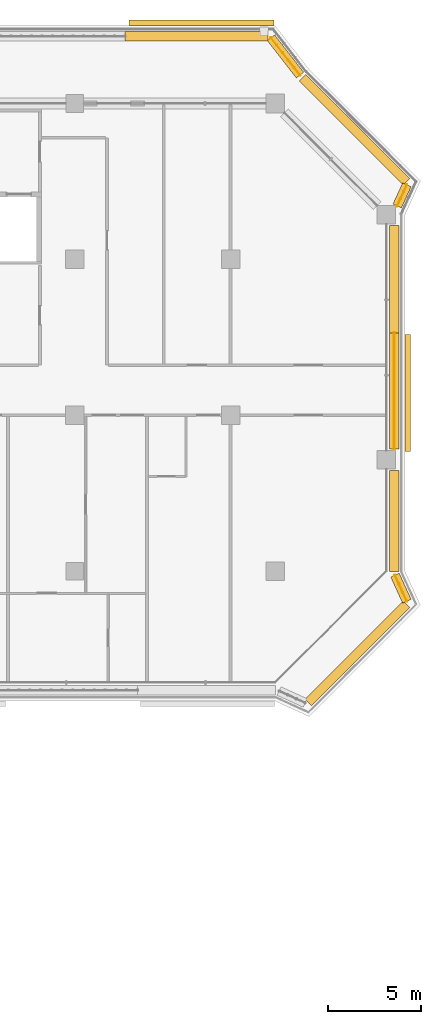
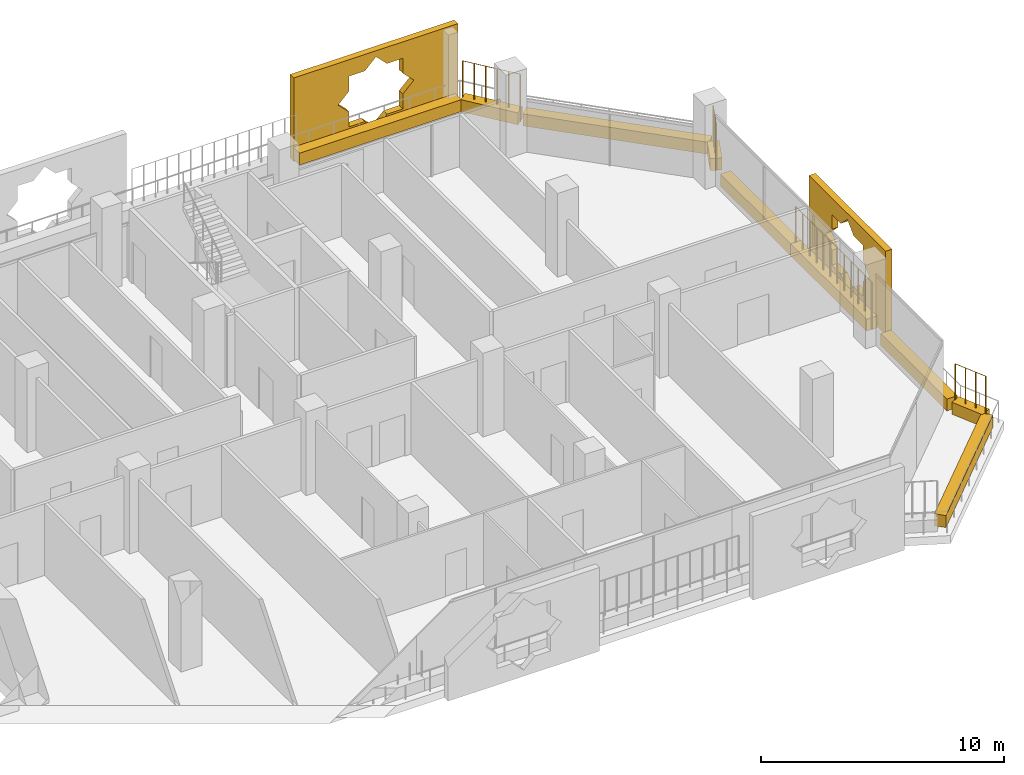
# One storey, part 22 of 22: 11 coverings, 4 railings.
"""IFC4 building model written with IfcOpenShell, lengths in metres."""

from ifc_helpers import new_model, si_unit, direction, frame, origin, origin_2d, place, context, subcontext, project, spatial, polyline, rectangle, circle, outline, extrude, material, material_profile, profile_set, type_object, element, save


model = new_model("IFC4")

# Units and contexts
model_context = context("Model", 3, precision=1e-05, world=origin(), true_north=direction((0.0, 1.0)))
body_context = subcontext(model_context, "Body", "Model", "MODEL_VIEW")
ifc_project = project(units=[si_unit("LENGTHUNIT", "METRE"), si_unit("AREAUNIT", "SQUARE_METRE"), si_unit("VOLUMEUNIT", "CUBIC_METRE"), si_unit("PLANEANGLEUNIT", "RADIAN"), si_unit("MASSUNIT", "GRAM", prefix="KILO")], contexts=[model_context])

# Site, building, storey
site_placement = place(None, origin())
site = spatial("IfcSite", under=ifc_project, at=site_placement, CompositionType="ELEMENT")
building_placement = place(site_placement, origin())
building = spatial("IfcBuilding", under=site, at=building_placement, Name="Kawkab Arch Medical Tower", CompositionType="ELEMENT")
storey_placement = place(building_placement, frame((0.0, 0.0, 183.60009765625)))
storey = spatial("IfcBuildingStorey", under=building, at=storey_placement, Name="L42", CompositionType="ELEMENT", Elevation=183.60009765625)

# Coverings
ifc_material_1 = material(Name="Bronze anodised aluminium mashrabiya panel, eight-point star pattern", Category="aluminium")
ifc_material_profile_1 = material_profile(ifc_material_1, outline(polyline([(-3.14990234375, -2.10009765625), (3.14990234375, -2.10009765625), (3.14990234375, 2.10009765625), (-3.14990234375, 2.10009765625), (-3.14990234375, -2.10009765625)]), holes=[polyline([(1.800048828125, 0.0), (1.272705078125, 0.527099609375), (1.272705078125, 1.272705078125), (0.527099609375, 1.272705078125), (0.0, 1.800048828125), (-0.527099609375, 1.272705078125), (-1.272705078125, 1.272705078125), (-1.272705078125, 0.527099609375), (-1.800048828125, 0.0), (-1.272705078125, -0.527099609375), (-1.272705078125, -1.272705078125), (-0.527099609375, -1.272705078125), (0.0, -1.800048828125), (0.527099609375, -1.272705078125), (1.272705078125, -1.272705078125), (1.272705078125, -0.527099609375), (1.800048828125, 0.0)])]), Name="Mashrabiya panel 6300x4200")
ifc_profile_set_1 = profile_set([ifc_material_profile_1], Name="Bronze anodised aluminium mashrabiya panel, eight-point star pattern")
covering_type_1 = type_object("IfcCoveringType", Name="Mashrabiya panel 6300 x 4200", PredefinedType="USERDEFINED", material=ifc_profile_set_1)
covering_1_placement = place(storey_placement, frame((68.199951171875, -15.60009765625, 1.699951171875), z_axis=(1.0, 0.0, 0.0), x_axis=(0.0, 1.0, 0.0)))
element("IfcCovering", 1, at=covering_1_placement, inside=storey, type_object=covering_type_1, Name="Mashrabiya panel L42.LOG-01-01.9", ObjectType="SCREEN", PredefinedType="USERDEFINED", context=body_context, shape_type="SweptSolid", body=[
    extrude(outline(polyline([(-3.14990234375, -2.10009765625), (3.14990234375, -2.10009765625), (3.14990234375, 2.10009765625), (-3.14990234375, 2.10009765625), (-3.14990234375, -2.10009765625)]), holes=[polyline([(1.800048828125, 0.0), (1.272705078125, 0.527099609375), (1.272705078125, 1.272705078125), (0.527099609375, 1.272705078125), (0.0, 1.800048828125), (-0.527099609375, 1.272705078125), (-1.272705078125, 1.272705078125), (-1.272705078125, 0.527099609375), (-1.800048828125, 0.0), (-1.272705078125, -0.527099609375), (-1.272705078125, -1.272705078125), (-0.527099609375, -1.272705078125), (0.0, -1.800048828125), (0.527099609375, -1.272705078125), (1.272705078125, -1.272705078125), (1.272705078125, -0.527099609375), (1.800048828125, 0.0)])]), origin(), (0.0, 0.0, 1.0), 0.300048828125),
])
ifc_material_2 = material(Name="Bronze anodised aluminium mashrabiya panel, eight-point star pattern", Category="aluminium")
ifc_material_profile_2 = material_profile(ifc_material_2, outline(polyline([(-3.89990234375, -2.10009765625), (3.89990234375, -2.10009765625), (3.89990234375, 2.10009765625), (-3.89990234375, 2.10009765625), (-3.89990234375, -2.10009765625)]), holes=[polyline([(1.800048828125, 0.0), (1.272705078125, 0.527099609375), (1.272705078125, 1.272705078125), (0.527099609375, 1.272705078125), (0.0, 1.800048828125), (-0.527099609375, 1.272705078125), (-1.272705078125, 1.272705078125), (-1.272705078125, 0.527099609375), (-1.800048828125, 0.0), (-1.272705078125, -0.527099609375), (-1.272705078125, -1.272705078125), (-0.527099609375, -1.272705078125), (0.0, -1.800048828125), (0.527099609375, -1.272705078125), (1.272705078125, -1.272705078125), (1.272705078125, -0.527099609375), (1.800048828125, 0.0)])]), Name="Mashrabiya panel 7800x4200")
ifc_profile_set_2 = profile_set([ifc_material_profile_2], Name="Bronze anodised aluminium mashrabiya panel, eight-point star pattern")
covering_type_2 = type_object("IfcCoveringType", Name="Mashrabiya panel 7800 x 4200", PredefinedType="USERDEFINED", material=ifc_profile_set_2)
covering_2_placement = place(storey_placement, frame((57.23291015625, 4.199951171875, 1.699951171875), z_axis=(0.0, 1.0, 0.0), x_axis=(-1.0, 0.0, 0.0)))
element("IfcCovering", 2, at=covering_2_placement, inside=storey, type_object=covering_type_2, Name="Mashrabiya panel L42.LOG-01-01.8", ObjectType="SCREEN", PredefinedType="USERDEFINED", context=body_context, shape_type="SweptSolid", body=[
    extrude(outline(polyline([(-3.89990234375, -2.10009765625), (3.89990234375, -2.10009765625), (3.89990234375, 2.10009765625), (-3.89990234375, 2.10009765625), (-3.89990234375, -2.10009765625)]), holes=[polyline([(1.800048828125, 0.0), (1.272705078125, 0.527099609375), (1.272705078125, 1.272705078125), (0.527099609375, 1.272705078125), (0.0, 1.800048828125), (-0.527099609375, 1.272705078125), (-1.272705078125, 1.272705078125), (-1.272705078125, 0.527099609375), (-1.800048828125, 0.0), (-1.272705078125, -0.527099609375), (-1.272705078125, -1.272705078125), (-0.527099609375, -1.272705078125), (0.0, -1.800048828125), (0.527099609375, -1.272705078125), (1.272705078125, -1.272705078125), (1.272705078125, -0.527099609375), (1.800048828125, 0.0)])]), origin(), (0.0, 0.0, 1.0), 0.300048828125),
])
ifc_material_3 = material(Name="Planting soil in a precast trough", Category="concrete")
ifc_material_profile_3 = material_profile(ifc_material_3, rectangle(XDim=0.5, YDim=0.60009765625, at=origin_2d()), Name="Trough 500x600")
ifc_profile_set_3 = profile_set([ifc_material_profile_3], Name="Planting soil in a precast trough")
covering_type_3 = type_object("IfcCoveringType", Name="Planter trough 500 x 600", PredefinedType="USERDEFINED", material=ifc_profile_set_3)
covering_3_placement = place(storey_placement, frame((53.112060546875, 3.6201171875, 0.2998046875), z_axis=(1.0, 0.0, 0.0), x_axis=(0.0, 1.0, 0.0)))
element("IfcCovering", 3, at=covering_3_placement, inside=storey, type_object=covering_type_3, Name="Planter L42.LOG-01-01.24", ObjectType="PLANTER", PredefinedType="USERDEFINED", context=body_context, shape_type="SweptSolid", body=[
    extrude(rectangle(XDim=0.5, YDim=0.60009765625, at=origin_2d()), origin(), (0.0, 0.0, 1.0), 7.703857421875),
])
covering_4_placement = place(storey_placement, frame((60.97802734375, 3.541015625, 0.2998046875), z_axis=(0.61404021143, -0.789274742246, 0.0), x_axis=(0.789274742246, 0.61404021143, 0.0)))
element("IfcCovering", 4, at=covering_4_placement, inside=storey, type_object=covering_type_3, Name="Planter L42.LOG-01-01.25", ObjectType="PLANTER", PredefinedType="USERDEFINED", context=body_context, shape_type="SweptSolid", body=[
    extrude(rectangle(XDim=0.5, YDim=0.60009765625, at=origin_2d()), origin(), (0.0, 0.0, 1.0), 2.54541015625),
])
covering_5_placement = place(storey_placement, frame((62.673095703125, 1.383056640625, 0.2998046875), z_axis=(0.707091367247, -0.70712219479, 0.0), x_axis=(0.70712219479, 0.707091367247, 0.0)))
element("IfcCovering", 5, at=covering_5_placement, inside=storey, type_object=covering_type_3, Name="Planter L42.LOG-01-01.26", ObjectType="PLANTER", PredefinedType="USERDEFINED", context=body_context, shape_type="SweptSolid", body=[
    extrude(rectangle(XDim=0.5, YDim=0.60009765625, at=origin_2d()), origin(), (0.0, 0.0, 1.0), 7.919677734375),
])
covering_6_placement = place(storey_placement, frame((68.302001953125, -4.37890625, 0.2998046875), z_axis=(-0.415089762627, -0.909780461959, 0.0), x_axis=(0.909780461959, -0.415089762627, 0.0)))
element("IfcCovering", 6, at=covering_6_placement, inside=storey, type_object=covering_type_3, Name="Planter L42.LOG-01-01.27", ObjectType="PLANTER", PredefinedType="USERDEFINED", context=body_context, shape_type="SweptSolid", body=[
    extrude(rectangle(XDim=0.5, YDim=0.60009765625, at=origin_2d()), origin(), (0.0, 0.0, 1.0), 1.257568359375),
])
covering_7_placement = place(storey_placement, frame((67.6201171875, -6.580078125, 0.2998046875), z_axis=(0.0, -1.0, 0.0), x_axis=(1.0, 0.0, 0.0)))
element("IfcCovering", 7, at=covering_7_placement, inside=storey, type_object=covering_type_3, Name="Planter L42.LOG-01-01.28", ObjectType="PLANTER", PredefinedType="USERDEFINED", context=body_context, shape_type="SweptSolid", body=[
    extrude(rectangle(XDim=0.5, YDim=0.60009765625, at=origin_2d()), origin(), (0.0, 0.0, 1.0), 5.77783203125),
])
covering_8_placement = place(storey_placement, frame((67.6201171875, -12.35791015625, 0.2998046875), z_axis=(0.0, -1.0, 0.0), x_axis=(1.0, 0.0, 0.0)))
element("IfcCovering", 8, at=covering_8_placement, inside=storey, type_object=covering_type_3, Name="Planter L42.LOG-01-01.29", ObjectType="PLANTER", PredefinedType="USERDEFINED", context=body_context, shape_type="SweptSolid", body=[
    extrude(rectangle(XDim=0.5, YDim=0.60009765625, at=origin_2d()), origin(), (0.0, 0.0, 1.0), 6.26220703125),
])
covering_9_placement = place(storey_placement, frame((67.6201171875, -19.780029296875, 0.2998046875), z_axis=(0.0, -1.0, 0.0), x_axis=(1.0, 0.0, 0.0)))
element("IfcCovering", 9, at=covering_9_placement, inside=storey, type_object=covering_type_3, Name="Planter L42.LOG-01-01.30", ObjectType="PLANTER", PredefinedType="USERDEFINED", context=body_context, shape_type="SweptSolid", body=[
    extrude(rectangle(XDim=0.5, YDim=0.60009765625, at=origin_2d()), origin(), (0.0, 0.0, 1.0), 5.446044921875),
])
covering_10_placement = place(storey_placement, frame((67.660888671875, -25.4169921875, 0.2998046875), z_axis=(0.415363486165, -0.909655525109, 0.0), x_axis=(0.909655525109, 0.415363486165, 0.0)))
element("IfcCovering", 10, at=covering_10_placement, inside=storey, type_object=covering_type_3, Name="Planter L42.LOG-01-01.31", ObjectType="PLANTER", PredefinedType="USERDEFINED", context=body_context, shape_type="SweptSolid", body=[
    extrude(rectangle(XDim=0.5, YDim=0.60009765625, at=origin_2d()), origin(), (0.0, 0.0, 1.0), 1.54345703125),
])
covering_11_placement = place(storey_placement, frame((68.27294921875, -26.98291015625, 0.2998046875), z_axis=(-0.707106781187, -0.707106781187, 0.0), x_axis=(0.707106781187, -0.707106781187, 0.0)))
element("IfcCovering", 11, at=covering_11_placement, inside=storey, type_object=covering_type_3, Name="Planter L42.LOG-01-01.32", ObjectType="PLANTER", PredefinedType="USERDEFINED", context=body_context, shape_type="SweptSolid", body=[
    extrude(rectangle(XDim=0.5, YDim=0.60009765625, at=origin_2d()), origin(), (0.0, 0.0, 1.0), 7.481201171875),
])

# Railings
ifc_material_4 = material(Name="Bronze anodised aluminium trellis for climbing plants", Category="aluminium")
railing_type = type_object("IfcRailingType", Name="Planting trellis 2400", PredefinedType="USERDEFINED", material=ifc_material_4)
railing_1_placement = place(storey_placement, frame((60.97802734375, 3.541015625, 0.0)))
element("IfcRailing", 12, at=railing_1_placement, inside=storey, type_object=railing_type, Name="Planting trellis L42.LOG-01-01.25", ObjectType="TRELLIS", PredefinedType="USERDEFINED", context=body_context, shape_type="SweptSolid", body=[
    extrude(circle(Radius=0.01513671875, at=origin_2d()), frame((0.0, 0.0, 2.384765625), z_axis=(0.61404021143, -0.789274742246, 0.0), x_axis=(0.789274742246, 0.61404021143, 0.0)), (0.0, 0.0, 1.0), 2.54541015625),
    extrude(circle(Radius=0.030029296875, at=origin_2d()), origin(), (0.0, 0.0, 1.0), 2.369873046875),
    extrude(circle(Radius=0.030029296875, at=origin_2d()), frame((0.3125, -0.40185546875, 0.0)), (0.0, 0.0, 1.0), 2.369873046875),
    extrude(circle(Radius=0.030029296875, at=origin_2d()), frame((0.625244140625, -0.8037109375, 0.0)), (0.0, 0.0, 1.0), 2.369873046875),
    extrude(circle(Radius=0.030029296875, at=origin_2d()), frame((0.937744140625, -1.205322265625, 0.0)), (0.0, 0.0, 1.0), 2.369873046875),
    extrude(circle(Radius=0.030029296875, at=origin_2d()), frame((1.25048828125, -1.607177734375, 0.0)), (0.0, 0.0, 1.0), 2.369873046875),
    extrude(circle(Radius=0.030029296875, at=origin_2d()), frame((1.56298828125, -2.009033203125, 0.0)), (0.0, 0.0, 1.0), 2.369873046875),
])
railing_2_placement = place(storey_placement, frame((68.302001953125, -4.37890625, 0.0)))
element("IfcRailing", 13, at=railing_2_placement, inside=storey, type_object=railing_type, Name="Planting trellis L42.LOG-01-01.27", ObjectType="TRELLIS", PredefinedType="USERDEFINED", context=body_context, shape_type="SweptSolid", body=[
    extrude(circle(Radius=0.01513671875, at=origin_2d()), frame((0.0, 0.0, 2.384765625), z_axis=(-0.415089762627, -0.909780461959, 0.0), x_axis=(0.909780461959, -0.415089762627, 0.0)), (0.0, 0.0, 1.0), 1.257568359375),
    extrude(circle(Radius=0.030029296875, at=origin_2d()), origin(), (0.0, 0.0, 1.0), 2.369873046875),
    extrude(circle(Radius=0.030029296875, at=origin_2d()), frame((-0.174072265625, -0.38134765625, 0.0)), (0.0, 0.0, 1.0), 2.369873046875),
    extrude(circle(Radius=0.030029296875, at=origin_2d()), frame((-0.347900390625, -0.7626953125, 0.0)), (0.0, 0.0, 1.0), 2.369873046875),
    extrude(circle(Radius=0.030029296875, at=origin_2d()), frame((-0.52197265625, -1.14404296875, 0.0)), (0.0, 0.0, 1.0), 2.369873046875),
])
railing_3_placement = place(storey_placement, frame((67.6201171875, -12.35791015625, 0.0)))
element("IfcRailing", 14, at=railing_3_placement, inside=storey, type_object=railing_type, Name="Planting trellis L42.LOG-01-01.29", ObjectType="TRELLIS", PredefinedType="USERDEFINED", context=body_context, shape_type="SweptSolid", body=[
    extrude(circle(Radius=0.01513671875, at=origin_2d()), frame((0.0, 0.0, 2.384765625), z_axis=(0.0, -1.0, 0.0), x_axis=(1.0, 0.0, 0.0)), (0.0, 0.0, 1.0), 6.26220703125),
    extrude(circle(Radius=0.030029296875, at=origin_2d()), origin(), (0.0, 0.0, 1.0), 2.369873046875),
    extrude(circle(Radius=0.030029296875, at=origin_2d()), frame((0.0, -0.5693359375, 0.0)), (0.0, 0.0, 1.0), 2.369873046875),
    extrude(circle(Radius=0.030029296875, at=origin_2d()), frame((0.0, -1.138671875, 0.0)), (0.0, 0.0, 1.0), 2.369873046875),
    extrude(circle(Radius=0.030029296875, at=origin_2d()), frame((0.0, -1.707763671875, 0.0)), (0.0, 0.0, 1.0), 2.369873046875),
    extrude(circle(Radius=0.030029296875, at=origin_2d()), frame((0.0, -2.277099609375, 0.0)), (0.0, 0.0, 1.0), 2.369873046875),
    extrude(circle(Radius=0.030029296875, at=origin_2d()), frame((0.0, -2.846435546875, 0.0)), (0.0, 0.0, 1.0), 2.369873046875),
    extrude(circle(Radius=0.030029296875, at=origin_2d()), frame((0.0, -3.415771484375, 0.0)), (0.0, 0.0, 1.0), 2.369873046875),
    extrude(circle(Radius=0.030029296875, at=origin_2d()), frame((0.0, -3.985107421875, 0.0)), (0.0, 0.0, 1.0), 2.369873046875),
    extrude(circle(Radius=0.030029296875, at=origin_2d()), frame((0.0, -4.554443359375, 0.0)), (0.0, 0.0, 1.0), 2.369873046875),
    extrude(circle(Radius=0.030029296875, at=origin_2d()), frame((0.0, -5.12353515625, 0.0)), (0.0, 0.0, 1.0), 2.369873046875),
    extrude(circle(Radius=0.030029296875, at=origin_2d()), frame((0.0, -5.69287109375, 0.0)), (0.0, 0.0, 1.0), 2.369873046875),
    extrude(circle(Radius=0.030029296875, at=origin_2d()), frame((0.0, -6.26220703125, 0.0)), (0.0, 0.0, 1.0), 2.369873046875),
])
railing_4_placement = place(storey_placement, frame((67.660888671875, -25.4169921875, 0.0)))
element("IfcRailing", 15, at=railing_4_placement, inside=storey, type_object=railing_type, Name="Planting trellis L42.LOG-01-01.31", ObjectType="TRELLIS", PredefinedType="USERDEFINED", context=body_context, shape_type="SweptSolid", body=[
    extrude(circle(Radius=0.01513671875, at=origin_2d()), frame((0.0, 0.0, 2.384765625), z_axis=(0.415363486165, -0.909655525109, 0.0), x_axis=(0.909655525109, 0.415363486165, 0.0)), (0.0, 0.0, 1.0), 1.54345703125),
    extrude(circle(Radius=0.030029296875, at=origin_2d()), origin(), (0.0, 0.0, 1.0), 2.369873046875),
    extrude(circle(Radius=0.030029296875, at=origin_2d()), frame((0.213623046875, -0.468017578125, 0.0)), (0.0, 0.0, 1.0), 2.369873046875),
    extrude(circle(Radius=0.030029296875, at=origin_2d()), frame((0.427490234375, -0.93603515625, 0.0)), (0.0, 0.0, 1.0), 2.369873046875),
    extrude(circle(Radius=0.030029296875, at=origin_2d()), frame((0.64111328125, -1.404052734375, 0.0)), (0.0, 0.0, 1.0), 2.369873046875),
])

save(model, "model.ifc")
